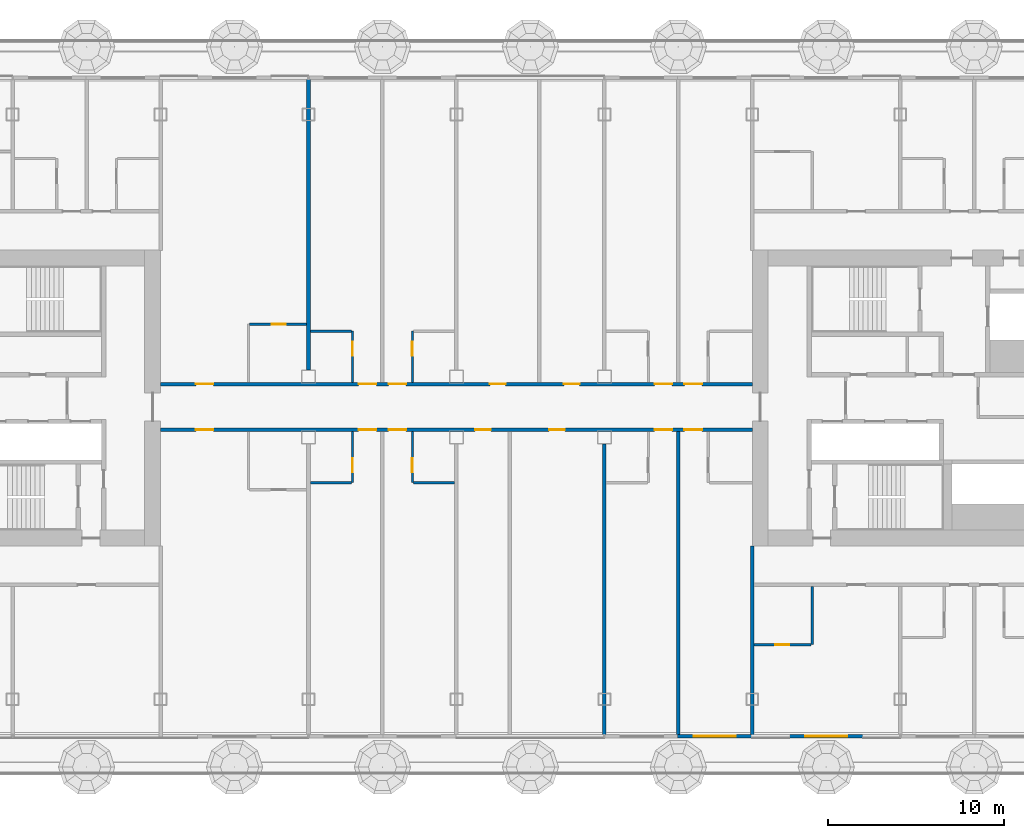
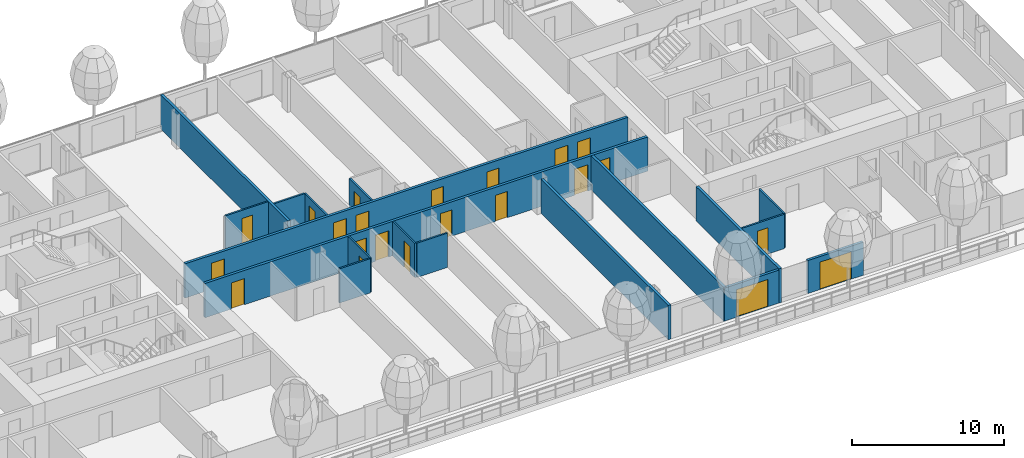
# One storey, part 12 of 30: 22 doors, 18 walls, 22 openings, 1 element without a shape of its own.
"""IFC4 building model written with IfcOpenShell, lengths in metres."""

import ifcopenshell
import ifcopenshell.guid

model = None  # the IFC model being written
_history = None  # IfcOwnerHistory: only IFC2X3 demands one
_inside = {}  # id of a spatial element -> (the spatial element, [elements in it])
_under = {}  # id of a project, library or spatial element -> (it, [spatial elements below it])
_declared = {}  # id of a project -> (the project, [libraries it declares])
_typed = {}  # id of a type object -> (the type object, [elements of that type])
_made_of = {}  # id of a material, layer set ... -> (it, [elements and type objects made of it])


def new_model(schema):
    """Start an empty IFC model of exactly this schema.

    Asked for "IFC4X3", IfcOpenShell would pick the latest addendum, in which some entities
    have other attributes; the version numbers below select the first issue.
    IFC2X3 requires an IfcOwnerHistory on every rooted entity: one is made here for all.
    """
    global model, _history
    if schema == "IFC4X3":
        model = ifcopenshell.file(schema_version=(4, 3, 0, 0))
    else:
        model = ifcopenshell.file(schema=schema)
    _inside.clear()
    _under.clear()
    _declared.clear()
    _typed.clear()
    _made_of.clear()
    _history = None
    if model.schema == "IFC2X3":
        org = make("IfcOrganization", Name="unknown")
        user = make(
            "IfcPersonAndOrganization",
            ThePerson=make("IfcPerson", FamilyName="unknown"),
            TheOrganization=org,
        )
        app = make(
            "IfcApplication",
            ApplicationDeveloper=org,
            Version="unknown",
            ApplicationFullName="unknown",
            ApplicationIdentifier="unknown",
        )
        _history = make(
            "IfcOwnerHistory",
            OwningUser=user,
            OwningApplication=app,
            ChangeAction="ADDED",
            CreationDate=0,
        )
    return model


def make(cls, **values):
    """One entity of the class cls with the attributes given. An attribute that is None is left unset."""
    return model.create_entity(
        cls, **{name: value for name, value in values.items() if value is not None}
    )


def rooted(cls, **values):
    """An entity with a GlobalId (a new one), such as an element, a storey or a relation."""
    return make(cls, GlobalId=ifcopenshell.guid.new(), OwnerHistory=_history, **values)


def si_unit(unit_type, name, prefix=None):
    """IfcSIUnit, for example si_unit("LENGTHUNIT", "METRE", prefix="MILLI")."""
    return make("IfcSIUnit", UnitType=unit_type, Prefix=prefix, Name=name)


def assignment(units):
    """IfcUnitAssignment: the units of a project."""
    return None if units is None else make("IfcUnitAssignment", Units=units)


def point(xyz):
    """IfcCartesianPoint."""
    return None if xyz is None else make("IfcCartesianPoint", Coordinates=xyz)


def direction(xyz):
    """IfcDirection."""
    return None if xyz is None else make("IfcDirection", DirectionRatios=xyz)


def frame(location, z_axis=None, x_axis=None):
    """IfcAxis2Placement3D, a coordinate frame: its origin and axes. An axis left out is left unset."""
    return make(
        "IfcAxis2Placement3D",
        Location=point(location),
        Axis=direction(z_axis),
        RefDirection=direction(x_axis),
    )


def frame_2d(location, x_axis=None):
    """IfcAxis2Placement2D, a coordinate frame in the plane: its origin and x axis."""
    return make(
        "IfcAxis2Placement2D", Location=point(location), RefDirection=direction(x_axis)
    )


def origin():
    """The frame at (0, 0, 0) with its axes left unset."""
    return frame((0.0, 0.0, 0.0))


def place(relative_to, where):
    """IfcLocalPlacement: puts the frame where relative to a parent placement (None: the world)."""
    return make(
        "IfcLocalPlacement", PlacementRelTo=relative_to, RelativePlacement=where
    )


def context(
    kind, dimensions, precision=None, world=None, true_north=None, identifier=None
):
    """IfcGeometricRepresentationContext, for example the 3D "Model" context."""
    return make(
        "IfcGeometricRepresentationContext",
        ContextIdentifier=identifier,
        ContextType=kind,
        CoordinateSpaceDimension=dimensions,
        Precision=precision,
        WorldCoordinateSystem=world,
        TrueNorth=true_north,
    )


def subcontext(parent, identifier, kind, view, scale=None):
    """IfcGeometricRepresentationSubContext, for example "Body" below "Model"."""
    return make(
        "IfcGeometricRepresentationSubContext",
        ContextIdentifier=identifier,
        ContextType=kind,
        ParentContext=parent,
        TargetScale=scale,
        TargetView=view,
    )


def project(units=None, contexts=None):
    """IfcProject with its units and contexts."""
    return rooted(
        "IfcProject",
        Name="project",
        RepresentationContexts=contexts,
        UnitsInContext=assignment(units),
    )


def spatial(cls, under=None, at=None, **own):
    """A site, building, storey or space (cls), placed at a placement, below another one or the project."""
    s = rooted(cls, ObjectPlacement=at, **own)
    if under is not None:
        _under.setdefault(under.id(), (under, []))[1].append(s)
    return s


def profile(cls, at=None, kind="AREA", **sizes):
    """A parametric profile (cls). Its sizes go by their IFC names, for example OverallWidth=200.0."""
    return make(cls, ProfileType=kind, Position=at, **sizes)


def rectangle(**sizes):
    """IfcRectangleProfileDef."""
    return profile("IfcRectangleProfileDef", **sizes)


def extrude(swept, where, along, depth):
    """IfcExtrudedAreaSolid: the profile swept, set in the frame where, extruded along a direction by depth."""
    return make(
        "IfcExtrudedAreaSolid",
        SweptArea=swept,
        Position=where,
        ExtrudedDirection=direction(along),
        Depth=depth,
    )


def shape(context_of_items, identifier, shape_type, items):
    """IfcShapeRepresentation: the items that make up one representation, for example the "Body"."""
    return make(
        "IfcShapeRepresentation",
        ContextOfItems=context_of_items,
        RepresentationIdentifier=identifier,
        RepresentationType=shape_type,
        Items=items,
    )


def material(Name=None, Category=None):
    """IfcMaterial."""
    return make("IfcMaterial", Name=Name, Category=Category)


def layer(
    of_material, thickness, ventilated=None, Name=None, Category=None, Priority=None
):
    """IfcMaterialLayer: one layer of a wall or slab, of a material (None: an air gap)."""
    return make(
        "IfcMaterialLayer",
        Material=of_material,
        LayerThickness=thickness,
        IsVentilated=ventilated,
        Name=Name,
        Category=Category,
        Priority=Priority,
    )


def layer_set(layers, Name=None):
    """IfcMaterialLayerSet."""
    return make("IfcMaterialLayerSet", MaterialLayers=layers, LayerSetName=Name)


def made_of(thing, what):
    """Note that an element or type object is made of a material, layer set ...; save() writes the relation."""
    if what is not None:
        _made_of.setdefault(what.id(), (what, []))[1].append(thing)
    return thing


def type_object(cls, material=None, **own):
    """A type object (cls), such as IfcWallType, which elements share."""
    return made_of(rooted(cls, **own), material)


def element(
    cls,
    number,
    at=None,
    inside=None,
    cuts=None,
    type_object=None,
    material=None,
    context=None,
    identifier="Body",
    shape_type=None,
    held_by="IfcProductDefinitionShape",
    body=None,
    shapes=None,
    **own,
):
    """One element of the class cls, such as IfcWall. Its Tag is "e" and its number.

    at: its placement. inside: the storey or other place that contains it. cuts: it is an
    opening in that element (IfcRelVoidsElement). A single representation is given by context,
    identifier, shape_type and body (its items); several are given by shapes. held_by: the class
    of the entity that holds the representations. save() writes the other relations.
    """
    e = rooted(cls, Tag="e%d" % number, ObjectPlacement=at, **own)
    if body is not None:
        shapes = [shape(context, identifier, shape_type, body)]
    if shapes is not None:
        e.Representation = make(held_by, Representations=shapes)
    if inside is not None:
        _inside.setdefault(inside.id(), (inside, []))[1].append(e)
    if cuts is not None:
        rooted(
            "IfcRelVoidsElement", RelatingBuildingElement=cuts, RelatedOpeningElement=e
        )
    if type_object is not None:
        _typed.setdefault(type_object.id(), (type_object, []))[1].append(e)
    return made_of(e, material)


def fill(opening, filler):
    """IfcRelFillsElement: the door or window that sits in an opening."""
    return rooted(
        "IfcRelFillsElement",
        RelatingOpeningElement=opening,
        RelatedBuildingElement=filler,
    )


def aggregate(whole, parts):
    """IfcRelAggregates: a whole, such as a stair, and the parts it consists of."""
    return rooted("IfcRelAggregates", RelatingObject=whole, RelatedObjects=parts)


def save(model, path):
    """Write the relations noted so far, then the file.

    IfcRelAggregates (storeys below a building ...), IfcRelContainedInSpatialStructure (elements
    in a storey), IfcRelDefinesByType, IfcRelAssociatesMaterial and IfcRelDeclares: one each for
    every whole, place, type object, material and project.
    """
    for whole, parts in _under.values():
        aggregate(whole, parts)
    for where, things in _inside.values():
        rooted(
            "IfcRelContainedInSpatialStructure",
            RelatedElements=things,
            RelatingStructure=where,
        )
    for kind, things in _typed.values():
        rooted("IfcRelDefinesByType", RelatedObjects=things, RelatingType=kind)
    for what, things in _made_of.values():
        rooted("IfcRelAssociatesMaterial", RelatedObjects=things, RelatingMaterial=what)
    for by, libraries in _declared.values():
        rooted("IfcRelDeclares", RelatingContext=by, RelatedDefinitions=libraries)
    model.write(path)


model = new_model("IFC4")

# Units and contexts
model_context = context("Model", 3, precision=1e-05, world=origin(), true_north=direction((0.0, 1.0)))
body_context = subcontext(model_context, "Body", "Model", "MODEL_VIEW")
ifc_project = project(units=[si_unit("LENGTHUNIT", "METRE"), si_unit("AREAUNIT", "SQUARE_METRE"), si_unit("VOLUMEUNIT", "CUBIC_METRE"), si_unit("PLANEANGLEUNIT", "RADIAN"), si_unit("MASSUNIT", "GRAM", prefix="KILO")], contexts=[model_context])

# Site, building, storey
site_placement = place(None, origin())
site = spatial("IfcSite", under=ifc_project, at=site_placement, CompositionType="ELEMENT")
building_placement = place(site_placement, origin())
building = spatial("IfcBuilding", under=site, at=building_placement, Name="Hakoniwa Tower and Hamabe Station Hall", CompositionType="ELEMENT")
storey_placement = place(building_placement, frame((0.0, 0.0, 137.39990234375)))
storey = spatial("IfcBuildingStorey", under=building, at=storey_placement, Name="L38", CompositionType="ELEMENT", Elevation=137.39990234375)

# Wall, opening, door
ifc_material_1 = material(Name="Gypsum board partition", Category="gypsum")
ifc_layer_1 = layer(ifc_material_1, 0.125)
ifc_layer_set_1 = layer_set([ifc_layer_1], Name="Bathroom Partition 125")
wall_type_1 = type_object("IfcWallType", Name="Bathroom Partition 125", PredefinedType="PARTITIONING", material=ifc_layer_set_1)
wall_1_placement = place(storey_placement, frame((16.89990234375, -14.0, 0.0), z_axis=(0.0, 0.0, 1.0), x_axis=(1.0, 0.0, 0.0)))
wall_1 = element("IfcWall", 1, at=wall_1_placement, inside=storey, type_object=wall_type_1, Name="GW-L38-001", PredefinedType="PARTITIONING", context=body_context, shape_type="SweptSolid", body=[
    extrude(rectangle(XDim=3.237548828125, YDim=0.125, at=frame_2d((1.61865234375, 0.0))), origin(), (0.0, 0.0, 1.0), 2.75),
])
opening_1_placement = place(wall_1_placement, frame((1.199951171875, 0.0, 0.0)))
opening_1 = element("IfcOpeningElement", 2, at=opening_1_placement, cuts=wall_1, Name="Opening GD-G3C0-01", PredefinedType="OPENING", context=body_context, shape_type="SweptSolid", body=[
    extrude(rectangle(XDim=0.800048828125, YDim=2.10009765625, at=frame_2d((0.39990234375, 1.050048828125))), frame((0.0, 0.072509765625, 0.0), z_axis=(0.0, -1.0, 0.0), x_axis=(1.0, 0.0, 0.0)), (0.0, 0.0, 1.0), 0.14501953125),
])
ifc_material_2 = material(Name="Timber door leaf", Category="wood")
door_type_1 = type_object("IfcDoorType", Name="Bathroom Door 800", OperationType="SINGLE_SWING_LEFT", PredefinedType="DOOR", material=ifc_material_2)
door_1_placement = place(opening_1_placement, origin())
door_1 = element("IfcDoor", 3, at=door_1_placement, inside=storey, type_object=door_type_1, Name="Door GD-G3C0-01", OperationType="SINGLE_SWING_LEFT", OverallHeight=2.10009765625, OverallWidth=0.800048828125, PredefinedType="DOOR", context=body_context, shape_type="SweptSolid", body=[
    extrude(rectangle(XDim=0.800048828125, YDim=2.10009765625, at=frame_2d((0.39990234375, 1.050048828125))), frame((0.0, 0.02490234375, 0.0), z_axis=(0.0, -1.0, 0.0), x_axis=(1.0, 0.0, 0.0)), (0.0, 0.0, 1.0), 0.050048828125),
])
fill(opening_1, door_1)

# Walls
wall_2_placement = place(storey_placement, frame((-8.300048828125, -4.800048828125, 0.0), z_axis=(0.0, 0.0, 1.0), x_axis=(1.0, 0.0, 0.0)))
element("IfcWall", 4, at=wall_2_placement, inside=storey, type_object=wall_type_1, Name="GW-L38-010", PredefinedType="PARTITIONING", context=body_context, shape_type="SweptSolid", body=[
    extrude(rectangle(XDim=2.337646484375, YDim=0.125, at=frame_2d((1.1689453125, 0.0))), origin(), (0.0, 0.0, 1.0), 2.75),
])
wall_3_placement = place(storey_placement, frame((-2.4375, -4.800048828125, 0.0), z_axis=(0.0, 0.0, 1.0), x_axis=(1.0, 0.0, 0.0)))
element("IfcWall", 5, at=wall_3_placement, inside=storey, type_object=wall_type_1, Name="GW-L38-011", PredefinedType="PARTITIONING", context=body_context, shape_type="SweptSolid", body=[
    extrude(rectangle(XDim=2.33740234375, YDim=0.125, at=frame_2d((1.168701171875, 0.0))), origin(), (0.0, 0.0, 1.0), 2.75),
])
wall_4_placement = place(storey_placement, frame((-8.300048828125, 3.800048828125, 0.0), z_axis=(0.0, 0.0, 1.0), x_axis=(1.0, 0.0, 0.0)))
element("IfcWall", 6, at=wall_4_placement, inside=storey, type_object=wall_type_1, Name="GW-L38-018", PredefinedType="PARTITIONING", context=body_context, shape_type="SweptSolid", body=[
    extrude(rectangle(XDim=2.337646484375, YDim=0.125, at=frame_2d((1.1689453125, 0.0))), origin(), (0.0, 0.0, 1.0), 2.75),
])

# Wall, opening, door
wall_5_placement = place(storey_placement, frame((-11.737548828125, 4.199951171875, 0.0), z_axis=(0.0, 0.0, 1.0), x_axis=(1.0, 0.0, 0.0)))
wall_5 = element("IfcWall", 7, at=wall_5_placement, inside=storey, type_object=wall_type_1, Name="GW-L38-022", PredefinedType="PARTITIONING", context=body_context, shape_type="SweptSolid", body=[
    extrude(rectangle(XDim=3.237548828125, YDim=0.125, at=frame_2d((1.61865234375, 0.0))), origin(), (0.0, 0.0, 1.0), 2.75),
])
opening_2_placement = place(wall_5_placement, frame((1.237548828125, 0.0, 0.0)))
opening_2 = element("IfcOpeningElement", 8, at=opening_2_placement, cuts=wall_5, Name="Opening GD-G3C0-30", PredefinedType="OPENING", context=body_context, shape_type="SweptSolid", body=[
    extrude(rectangle(XDim=0.800048828125, YDim=2.10009765625, at=frame_2d((0.39990234375, 1.050048828125))), frame((0.0, 0.072509765625, 0.0), z_axis=(0.0, -1.0, 0.0), x_axis=(1.0, 0.0, 0.0)), (0.0, 0.0, 1.0), 0.14501953125),
])
door_2_placement = place(opening_2_placement, origin())
door_2 = element("IfcDoor", 9, at=door_2_placement, inside=storey, type_object=door_type_1, Name="Door GD-G3C0-30", OperationType="SINGLE_SWING_RIGHT", OverallHeight=2.10009765625, OverallWidth=0.800048828125, PredefinedType="DOOR", context=body_context, shape_type="SweptSolid", body=[
    extrude(rectangle(XDim=0.800048828125, YDim=2.10009765625, at=frame_2d((0.39990234375, 1.050048828125))), frame((0.0, 0.02490234375, 0.0), z_axis=(0.0, -1.0, 0.0), x_axis=(1.0, 0.0, 0.0)), (0.0, 0.0, 1.0), 0.050048828125),
])
fill(opening_2, door_2)

wall_6_placement = place(storey_placement, frame((-5.89990234375, -4.800048828125, 0.0), z_axis=(0.0, 0.0, 1.0), x_axis=(0.0, 1.0, 0.0)))
wall_6 = element("IfcWall", 10, at=wall_6_placement, inside=storey, type_object=wall_type_1, Name="GW-L38-057", PredefinedType="PARTITIONING", context=body_context, shape_type="SweptSolid", body=[
    extrude(rectangle(XDim=2.900146484375, YDim=0.125, at=frame_2d((1.4501953125, 0.0))), origin(), (0.0, 0.0, 1.0), 2.75),
])
opening_3_placement = place(wall_6_placement, frame((0.60009765625, 0.0, 0.0)))
opening_3 = element("IfcOpeningElement", 11, at=opening_3_placement, cuts=wall_6, Name="Opening GD-G3C0-51", PredefinedType="OPENING", context=body_context, shape_type="SweptSolid", body=[
    extrude(rectangle(XDim=0.800048828125, YDim=2.10009765625, at=frame_2d((0.39990234375, 1.050048828125))), frame((0.0, 0.072509765625, 0.0), z_axis=(0.0, -1.0, 0.0), x_axis=(1.0, 0.0, 0.0)), (0.0, 0.0, 1.0), 0.14501953125),
])
door_3_placement = place(opening_3_placement, origin())
door_3 = element("IfcDoor", 12, at=door_3_placement, inside=storey, type_object=door_type_1, Name="Door GD-G3C0-51", OperationType="SINGLE_SWING_RIGHT", OverallHeight=2.10009765625, OverallWidth=0.800048828125, PredefinedType="DOOR", context=body_context, shape_type="SweptSolid", body=[
    extrude(rectangle(XDim=0.800048828125, YDim=2.10009765625, at=frame_2d((0.39990234375, 1.050048828125))), frame((0.0, 0.02490234375, 0.0), z_axis=(0.0, -1.0, 0.0), x_axis=(1.0, 0.0, 0.0)), (0.0, 0.0, 1.0), 0.050048828125),
])
fill(opening_3, door_3)

wall_7_placement = place(storey_placement, frame((-5.89990234375, 0.89990234375, 0.0), z_axis=(0.0, 0.0, 1.0), x_axis=(0.0, 1.0, 0.0)))
wall_7 = element("IfcWall", 13, at=wall_7_placement, inside=storey, type_object=wall_type_1, Name="GW-L38-058", PredefinedType="PARTITIONING", context=body_context, shape_type="SweptSolid", body=[
    extrude(rectangle(XDim=2.900146484375, YDim=0.125, at=frame_2d((1.4501953125, 0.0))), origin(), (0.0, 0.0, 1.0), 2.75),
])
opening_4_placement = place(wall_7_placement, frame((1.5, 0.0, 0.0)))
opening_4 = element("IfcOpeningElement", 14, at=opening_4_placement, cuts=wall_7, Name="Opening GD-G3C0-52", PredefinedType="OPENING", context=body_context, shape_type="SweptSolid", body=[
    extrude(rectangle(XDim=0.800048828125, YDim=2.10009765625, at=frame_2d((0.39990234375, 1.050048828125))), frame((0.0, 0.072509765625, 0.0), z_axis=(0.0, -1.0, 0.0), x_axis=(1.0, 0.0, 0.0)), (0.0, 0.0, 1.0), 0.14501953125),
])
door_4_placement = place(opening_4_placement, origin())
door_4 = element("IfcDoor", 15, at=door_4_placement, inside=storey, type_object=door_type_1, Name="Door GD-G3C0-52", OperationType="SINGLE_SWING_LEFT", OverallHeight=2.10009765625, OverallWidth=0.800048828125, PredefinedType="DOOR", context=body_context, shape_type="SweptSolid", body=[
    extrude(rectangle(XDim=0.800048828125, YDim=2.10009765625, at=frame_2d((0.39990234375, 1.050048828125))), frame((0.0, 0.02490234375, 0.0), z_axis=(0.0, -1.0, 0.0), x_axis=(1.0, 0.0, 0.0)), (0.0, 0.0, 1.0), 0.050048828125),
])
fill(opening_4, door_4)

wall_8_placement = place(storey_placement, frame((-2.5, -4.800048828125, 0.0), z_axis=(0.0, 0.0, 1.0), x_axis=(0.0, 1.0, 0.0)))
wall_8 = element("IfcWall", 16, at=wall_8_placement, inside=storey, type_object=wall_type_1, Name="GW-L38-061", PredefinedType="PARTITIONING", context=body_context, shape_type="SweptSolid", body=[
    extrude(rectangle(XDim=2.900146484375, YDim=0.125, at=frame_2d((1.4501953125, 0.0))), origin(), (0.0, 0.0, 1.0), 2.75),
])
opening_5_placement = place(wall_8_placement, frame((0.60009765625, 0.0, 0.0)))
opening_5 = element("IfcOpeningElement", 17, at=opening_5_placement, cuts=wall_8, Name="Opening GD-G3C0-53", PredefinedType="OPENING", context=body_context, shape_type="SweptSolid", body=[
    extrude(rectangle(XDim=0.800048828125, YDim=2.10009765625, at=frame_2d((0.39990234375, 1.050048828125))), frame((0.0, 0.072509765625, 0.0), z_axis=(0.0, -1.0, 0.0), x_axis=(1.0, 0.0, 0.0)), (0.0, 0.0, 1.0), 0.14501953125),
])
door_5_placement = place(opening_5_placement, origin())
door_5 = element("IfcDoor", 18, at=door_5_placement, inside=storey, type_object=door_type_1, Name="Door GD-G3C0-53", OperationType="SINGLE_SWING_LEFT", OverallHeight=2.10009765625, OverallWidth=0.800048828125, PredefinedType="DOOR", context=body_context, shape_type="SweptSolid", body=[
    extrude(rectangle(XDim=0.800048828125, YDim=2.10009765625, at=frame_2d((0.39990234375, 1.050048828125))), frame((0.0, 0.02490234375, 0.0), z_axis=(0.0, -1.0, 0.0), x_axis=(1.0, 0.0, 0.0)), (0.0, 0.0, 1.0), 0.050048828125),
])
fill(opening_5, door_5)

wall_9_placement = place(storey_placement, frame((-2.5, 0.89990234375, 0.0), z_axis=(0.0, 0.0, 1.0), x_axis=(0.0, 1.0, 0.0)))
wall_9 = element("IfcWall", 19, at=wall_9_placement, inside=storey, type_object=wall_type_1, Name="GW-L38-062", PredefinedType="PARTITIONING", context=body_context, shape_type="SweptSolid", body=[
    extrude(rectangle(XDim=2.900146484375, YDim=0.125, at=frame_2d((1.4501953125, 0.0))), origin(), (0.0, 0.0, 1.0), 2.75),
])
opening_6_placement = place(wall_9_placement, frame((1.5, 0.0, 0.0)))
opening_6 = element("IfcOpeningElement", 20, at=opening_6_placement, cuts=wall_9, Name="Opening GD-G3C0-54", PredefinedType="OPENING", context=body_context, shape_type="SweptSolid", body=[
    extrude(rectangle(XDim=0.800048828125, YDim=2.10009765625, at=frame_2d((0.39990234375, 1.050048828125))), frame((0.0, 0.072509765625, 0.0), z_axis=(0.0, -1.0, 0.0), x_axis=(1.0, 0.0, 0.0)), (0.0, 0.0, 1.0), 0.14501953125),
])
door_6_placement = place(opening_6_placement, origin())
door_6 = element("IfcDoor", 21, at=door_6_placement, inside=storey, type_object=door_type_1, Name="Door GD-G3C0-54", OperationType="SINGLE_SWING_RIGHT", OverallHeight=2.10009765625, OverallWidth=0.800048828125, PredefinedType="DOOR", context=body_context, shape_type="SweptSolid", body=[
    extrude(rectangle(XDim=0.800048828125, YDim=2.10009765625, at=frame_2d((0.39990234375, 1.050048828125))), frame((0.0, 0.02490234375, 0.0), z_axis=(0.0, -1.0, 0.0), x_axis=(1.0, 0.0, 0.0)), (0.0, 0.0, 1.0), 0.050048828125),
])
fill(opening_6, door_6)

# Wall
wall_10_placement = place(storey_placement, frame((20.199951171875, -14.0, 0.0), z_axis=(0.0, 0.0, 1.0), x_axis=(0.0, 1.0, 0.0)))
element("IfcWall", 22, at=wall_10_placement, inside=storey, type_object=wall_type_1, Name="GW-L38-077", PredefinedType="PARTITIONING", context=body_context, shape_type="SweptSolid", body=[
    extrude(rectangle(XDim=3.300048828125, YDim=0.125, at=frame_2d((1.64990234375, 0.0))), origin(), (0.0, 0.0, 1.0), 2.75),
])

# Wall, openings, doors
ifc_material_3 = material(Name="Fire-rated gypsum board partition", Category="gypsum")
ifc_layer_2 = layer(ifc_material_3, 0.199951171875)
ifc_layer_set_2 = layer_set([ifc_layer_2], Name="Corridor Wall 200")
wall_type_2 = type_object("IfcWallType", Name="Corridor Wall 200", PredefinedType="PARTITIONING", material=ifc_layer_set_2)
wall_11_placement = place(storey_placement, frame((-16.800048828125, -1.800048828125, 0.0), z_axis=(0.0, 0.0, 1.0), x_axis=(1.0, 0.0, 0.0)))
wall_11 = element("IfcWall", 23, at=wall_11_placement, inside=storey, type_object=wall_type_2, Name="GW-L38-014", PredefinedType="PARTITIONING", context=body_context, shape_type="SweptSolid", body=[
    extrude(rectangle(XDim=33.60009765625, YDim=0.199951171875, at=frame_2d((16.800048828125, 0.0))), origin(), (0.0, 0.0, 1.0), 2.75),
])
opening_7_placement = place(wall_11_placement, frame((2.0, 0.0, 0.0)))
opening_7 = element("IfcOpeningElement", 24, at=opening_7_placement, cuts=wall_11, Name="Opening GD-G3C0-16", PredefinedType="OPENING", context=body_context, shape_type="SweptSolid", body=[
    extrude(rectangle(XDim=1.0, YDim=2.10009765625, at=frame_2d((0.5, 1.050048828125))), frame((0.0, 0.10986328125, 0.0), z_axis=(0.0, -1.0, 0.0), x_axis=(1.0, 0.0, 0.0)), (0.0, 0.0, 1.0), 0.219970703125),
])
opening_8_placement = place(wall_11_placement, frame((11.25, 0.0, 0.0)))
opening_8 = element("IfcOpeningElement", 25, at=opening_8_placement, cuts=wall_11, Name="Opening GD-G3C0-17", PredefinedType="OPENING", context=body_context, shape_type="SweptSolid", body=[
    extrude(rectangle(XDim=1.0, YDim=2.10009765625, at=frame_2d((0.5, 1.050048828125))), frame((0.0, 0.10986328125, 0.0), z_axis=(0.0, -1.0, 0.0), x_axis=(1.0, 0.0, 0.0)), (0.0, 0.0, 1.0), 0.219970703125),
])
opening_9_placement = place(wall_11_placement, frame((12.949951171875, 0.0, 0.0)))
opening_9 = element("IfcOpeningElement", 26, at=opening_9_placement, cuts=wall_11, Name="Opening GD-G3C0-18", PredefinedType="OPENING", context=body_context, shape_type="SweptSolid", body=[
    extrude(rectangle(XDim=1.0, YDim=2.10009765625, at=frame_2d((0.5, 1.050048828125))), frame((0.0, 0.10986328125, 0.0), z_axis=(0.0, -1.0, 0.0), x_axis=(1.0, 0.0, 0.0)), (0.0, 0.0, 1.0), 0.219970703125),
])
opening_10_placement = place(wall_11_placement, frame((17.860107421875, 0.0, 0.0)))
opening_10 = element("IfcOpeningElement", 27, at=opening_10_placement, cuts=wall_11, Name="Opening GD-G3C0-19", PredefinedType="OPENING", context=body_context, shape_type="SweptSolid", body=[
    extrude(rectangle(XDim=0.89990234375, YDim=2.10009765625, at=frame_2d((0.449951171875, 1.050048828125))), frame((0.0, 0.10986328125, 0.0), z_axis=(0.0, -1.0, 0.0), x_axis=(1.0, 0.0, 0.0)), (0.0, 0.0, 1.0), 0.219970703125),
])
opening_11_placement = place(wall_11_placement, frame((22.06005859375, 0.0, 0.0)))
opening_11 = element("IfcOpeningElement", 28, at=opening_11_placement, cuts=wall_11, Name="Opening GD-G3C0-20", PredefinedType="OPENING", context=body_context, shape_type="SweptSolid", body=[
    extrude(rectangle(XDim=0.89990234375, YDim=2.10009765625, at=frame_2d((0.449951171875, 1.050048828125))), frame((0.0, 0.10986328125, 0.0), z_axis=(0.0, -1.0, 0.0), x_axis=(1.0, 0.0, 0.0)), (0.0, 0.0, 1.0), 0.219970703125),
])
opening_12_placement = place(wall_11_placement, frame((28.050048828125, 0.0, 0.0)))
opening_12 = element("IfcOpeningElement", 29, at=opening_12_placement, cuts=wall_11, Name="Opening GD-G3C0-21", PredefinedType="OPENING", context=body_context, shape_type="SweptSolid", body=[
    extrude(rectangle(XDim=1.0, YDim=2.10009765625, at=frame_2d((0.5, 1.050048828125))), frame((0.0, 0.10986328125, 0.0), z_axis=(0.0, -1.0, 0.0), x_axis=(1.0, 0.0, 0.0)), (0.0, 0.0, 1.0), 0.219970703125),
])
opening_13_placement = place(wall_11_placement, frame((29.75, 0.0, 0.0)))
opening_13 = element("IfcOpeningElement", 30, at=opening_13_placement, cuts=wall_11, Name="Opening GD-G3C0-22", PredefinedType="OPENING", context=body_context, shape_type="SweptSolid", body=[
    extrude(rectangle(XDim=1.0, YDim=2.10009765625, at=frame_2d((0.5, 1.050048828125))), frame((0.0, 0.10986328125, 0.0), z_axis=(0.0, -1.0, 0.0), x_axis=(1.0, 0.0, 0.0)), (0.0, 0.0, 1.0), 0.219970703125),
])
ifc_material_4 = material(Name="Timber door leaf", Category="wood")
door_type_2 = type_object("IfcDoorType", Name="Guest Entrance Door 1000", OperationType="SINGLE_SWING_LEFT", PredefinedType="DOOR", material=ifc_material_4)
door_7_placement = place(opening_7_placement, origin())
door_7 = element("IfcDoor", 31, at=door_7_placement, inside=storey, type_object=door_type_2, Name="Door GD-G3C0-16", OperationType="SINGLE_SWING_RIGHT", OverallHeight=2.10009765625, OverallWidth=1.0, PredefinedType="DOOR", context=body_context, shape_type="SweptSolid", body=[
    extrude(rectangle(XDim=1.0, YDim=2.10009765625, at=frame_2d((0.5, 1.050048828125))), frame((0.0, 0.02490234375, 0.0), z_axis=(0.0, -1.0, 0.0), x_axis=(1.0, 0.0, 0.0)), (0.0, 0.0, 1.0), 0.050048828125),
])
fill(opening_7, door_7)
door_8_placement = place(opening_8_placement, origin())
door_8 = element("IfcDoor", 32, at=door_8_placement, inside=storey, type_object=door_type_2, Name="Door GD-G3C0-17", OperationType="SINGLE_SWING_LEFT", OverallHeight=2.10009765625, OverallWidth=1.0, PredefinedType="DOOR", context=body_context, shape_type="SweptSolid", body=[
    extrude(rectangle(XDim=1.0, YDim=2.10009765625, at=frame_2d((0.5, 1.050048828125))), frame((0.0, 0.02490234375, 0.0), z_axis=(0.0, -1.0, 0.0), x_axis=(1.0, 0.0, 0.0)), (0.0, 0.0, 1.0), 0.050048828125),
])
fill(opening_8, door_8)
door_9_placement = place(opening_9_placement, origin())
door_9 = element("IfcDoor", 33, at=door_9_placement, inside=storey, type_object=door_type_2, Name="Door GD-G3C0-18", OperationType="SINGLE_SWING_RIGHT", OverallHeight=2.10009765625, OverallWidth=1.0, PredefinedType="DOOR", context=body_context, shape_type="SweptSolid", body=[
    extrude(rectangle(XDim=1.0, YDim=2.10009765625, at=frame_2d((0.5, 1.050048828125))), frame((0.0, 0.02490234375, 0.0), z_axis=(0.0, -1.0, 0.0), x_axis=(1.0, 0.0, 0.0)), (0.0, 0.0, 1.0), 0.050048828125),
])
fill(opening_9, door_9)
door_10_placement = place(opening_12_placement, origin())
door_10 = element("IfcDoor", 34, at=door_10_placement, inside=storey, type_object=door_type_2, Name="Door GD-G3C0-21", OperationType="SINGLE_SWING_RIGHT", OverallHeight=2.10009765625, OverallWidth=1.0, PredefinedType="DOOR", context=body_context, shape_type="SweptSolid", body=[
    extrude(rectangle(XDim=1.0, YDim=2.10009765625, at=frame_2d((0.5, 1.050048828125))), frame((0.0, 0.02490234375, 0.0), z_axis=(0.0, -1.0, 0.0), x_axis=(1.0, 0.0, 0.0)), (0.0, 0.0, 1.0), 0.050048828125),
])
fill(opening_12, door_10)
door_11_placement = place(opening_13_placement, origin())
door_11 = element("IfcDoor", 35, at=door_11_placement, inside=storey, type_object=door_type_2, Name="Door GD-G3C0-22", OperationType="SINGLE_SWING_LEFT", OverallHeight=2.10009765625, OverallWidth=1.0, PredefinedType="DOOR", context=body_context, shape_type="SweptSolid", body=[
    extrude(rectangle(XDim=1.0, YDim=2.10009765625, at=frame_2d((0.5, 1.050048828125))), frame((0.0, 0.02490234375, 0.0), z_axis=(0.0, -1.0, 0.0), x_axis=(1.0, 0.0, 0.0)), (0.0, 0.0, 1.0), 0.050048828125),
])
fill(opening_13, door_11)
ifc_material_5 = material(Name="Timber door leaf", Category="wood")
door_type_3 = type_object("IfcDoorType", Name="Service Door 900", OperationType="SINGLE_SWING_LEFT", PredefinedType="DOOR", material=ifc_material_5)
door_12_placement = place(opening_10_placement, origin())
door_12 = element("IfcDoor", 36, at=door_12_placement, inside=storey, type_object=door_type_3, Name="Door GD-G3C0-19", OperationType="SINGLE_SWING_RIGHT", OverallHeight=2.10009765625, OverallWidth=0.89990234375, PredefinedType="DOOR", context=body_context, shape_type="SweptSolid", body=[
    extrude(rectangle(XDim=0.89990234375, YDim=2.10009765625, at=frame_2d((0.449951171875, 1.050048828125))), frame((0.0, 0.02490234375, 0.0), z_axis=(0.0, -1.0, 0.0), x_axis=(1.0, 0.0, 0.0)), (0.0, 0.0, 1.0), 0.050048828125),
])
fill(opening_10, door_12)
door_13_placement = place(opening_11_placement, origin())
door_13 = element("IfcDoor", 37, at=door_13_placement, inside=storey, type_object=door_type_3, Name="Door GD-G3C0-20", OperationType="SINGLE_SWING_LEFT", OverallHeight=2.10009765625, OverallWidth=0.89990234375, PredefinedType="DOOR", context=body_context, shape_type="SweptSolid", body=[
    extrude(rectangle(XDim=0.89990234375, YDim=2.10009765625, at=frame_2d((0.449951171875, 1.050048828125))), frame((0.0, 0.02490234375, 0.0), z_axis=(0.0, -1.0, 0.0), x_axis=(1.0, 0.0, 0.0)), (0.0, 0.0, 1.0), 0.050048828125),
])
fill(opening_11, door_13)

wall_12_placement = place(storey_placement, frame((-16.800048828125, 0.800048828125, 0.0), z_axis=(0.0, 0.0, 1.0), x_axis=(1.0, 0.0, 0.0)))
wall_12 = element("IfcWall", 38, at=wall_12_placement, inside=storey, type_object=wall_type_2, Name="GW-L38-017", PredefinedType="PARTITIONING", context=body_context, shape_type="SweptSolid", body=[
    extrude(rectangle(XDim=33.60009765625, YDim=0.199951171875, at=frame_2d((16.800048828125, 0.0))), origin(), (0.0, 0.0, 1.0), 2.75),
])
opening_14_placement = place(wall_12_placement, frame((2.0, 0.0, 0.0)))
opening_14 = element("IfcOpeningElement", 39, at=opening_14_placement, cuts=wall_12, Name="Opening GD-G3C0-23", PredefinedType="OPENING", context=body_context, shape_type="SweptSolid", body=[
    extrude(rectangle(XDim=1.0, YDim=2.10009765625, at=frame_2d((0.5, 1.050048828125))), frame((0.0, 0.10986328125, 0.0), z_axis=(0.0, -1.0, 0.0), x_axis=(1.0, 0.0, 0.0)), (0.0, 0.0, 1.0), 0.219970703125),
])
opening_15_placement = place(wall_12_placement, frame((11.25, 0.0, 0.0)))
opening_15 = element("IfcOpeningElement", 40, at=opening_15_placement, cuts=wall_12, Name="Opening GD-G3C0-24", PredefinedType="OPENING", context=body_context, shape_type="SweptSolid", body=[
    extrude(rectangle(XDim=1.0, YDim=2.10009765625, at=frame_2d((0.5, 1.050048828125))), frame((0.0, 0.10986328125, 0.0), z_axis=(0.0, -1.0, 0.0), x_axis=(1.0, 0.0, 0.0)), (0.0, 0.0, 1.0), 0.219970703125),
])
opening_16_placement = place(wall_12_placement, frame((12.949951171875, 0.0, 0.0)))
opening_16 = element("IfcOpeningElement", 41, at=opening_16_placement, cuts=wall_12, Name="Opening GD-G3C0-25", PredefinedType="OPENING", context=body_context, shape_type="SweptSolid", body=[
    extrude(rectangle(XDim=1.0, YDim=2.10009765625, at=frame_2d((0.5, 1.050048828125))), frame((0.0, 0.10986328125, 0.0), z_axis=(0.0, -1.0, 0.0), x_axis=(1.0, 0.0, 0.0)), (0.0, 0.0, 1.0), 0.219970703125),
])
opening_17_placement = place(wall_12_placement, frame((18.699951171875, 0.0, 0.0)))
opening_17 = element("IfcOpeningElement", 42, at=opening_17_placement, cuts=wall_12, Name="Opening GD-G3C0-26", PredefinedType="OPENING", context=body_context, shape_type="SweptSolid", body=[
    extrude(rectangle(XDim=0.89990234375, YDim=2.10009765625, at=frame_2d((0.449951171875, 1.050048828125))), frame((0.0, 0.10986328125, 0.0), z_axis=(0.0, -1.0, 0.0), x_axis=(1.0, 0.0, 0.0)), (0.0, 0.0, 1.0), 0.219970703125),
])
opening_18_placement = place(wall_12_placement, frame((22.89990234375, 0.0, 0.0)))
opening_18 = element("IfcOpeningElement", 43, at=opening_18_placement, cuts=wall_12, Name="Opening GD-G3C0-27", PredefinedType="OPENING", context=body_context, shape_type="SweptSolid", body=[
    extrude(rectangle(XDim=0.89990234375, YDim=2.10009765625, at=frame_2d((0.449951171875, 1.050048828125))), frame((0.0, 0.10986328125, 0.0), z_axis=(0.0, -1.0, 0.0), x_axis=(1.0, 0.0, 0.0)), (0.0, 0.0, 1.0), 0.219970703125),
])
opening_19_placement = place(wall_12_placement, frame((28.050048828125, 0.0, 0.0)))
opening_19 = element("IfcOpeningElement", 44, at=opening_19_placement, cuts=wall_12, Name="Opening GD-G3C0-28", PredefinedType="OPENING", context=body_context, shape_type="SweptSolid", body=[
    extrude(rectangle(XDim=1.0, YDim=2.10009765625, at=frame_2d((0.5, 1.050048828125))), frame((0.0, 0.10986328125, 0.0), z_axis=(0.0, -1.0, 0.0), x_axis=(1.0, 0.0, 0.0)), (0.0, 0.0, 1.0), 0.219970703125),
])
opening_20_placement = place(wall_12_placement, frame((29.75, 0.0, 0.0)))
opening_20 = element("IfcOpeningElement", 45, at=opening_20_placement, cuts=wall_12, Name="Opening GD-G3C0-29", PredefinedType="OPENING", context=body_context, shape_type="SweptSolid", body=[
    extrude(rectangle(XDim=1.0, YDim=2.10009765625, at=frame_2d((0.5, 1.050048828125))), frame((0.0, 0.10986328125, 0.0), z_axis=(0.0, -1.0, 0.0), x_axis=(1.0, 0.0, 0.0)), (0.0, 0.0, 1.0), 0.219970703125),
])
door_14_placement = place(opening_14_placement, origin())
door_14 = element("IfcDoor", 46, at=door_14_placement, inside=storey, type_object=door_type_2, Name="Door GD-G3C0-23", OperationType="SINGLE_SWING_LEFT", OverallHeight=2.10009765625, OverallWidth=1.0, PredefinedType="DOOR", context=body_context, shape_type="SweptSolid", body=[
    extrude(rectangle(XDim=1.0, YDim=2.10009765625, at=frame_2d((0.5, 1.050048828125))), frame((0.0, 0.02490234375, 0.0), z_axis=(0.0, -1.0, 0.0), x_axis=(1.0, 0.0, 0.0)), (0.0, 0.0, 1.0), 0.050048828125),
])
fill(opening_14, door_14)
door_15_placement = place(opening_15_placement, origin())
door_15 = element("IfcDoor", 47, at=door_15_placement, inside=storey, type_object=door_type_2, Name="Door GD-G3C0-24", OperationType="SINGLE_SWING_RIGHT", OverallHeight=2.10009765625, OverallWidth=1.0, PredefinedType="DOOR", context=body_context, shape_type="SweptSolid", body=[
    extrude(rectangle(XDim=1.0, YDim=2.10009765625, at=frame_2d((0.5, 1.050048828125))), frame((0.0, 0.02490234375, 0.0), z_axis=(0.0, -1.0, 0.0), x_axis=(1.0, 0.0, 0.0)), (0.0, 0.0, 1.0), 0.050048828125),
])
fill(opening_15, door_15)
door_16_placement = place(opening_16_placement, origin())
door_16 = element("IfcDoor", 48, at=door_16_placement, inside=storey, type_object=door_type_2, Name="Door GD-G3C0-25", OperationType="SINGLE_SWING_LEFT", OverallHeight=2.10009765625, OverallWidth=1.0, PredefinedType="DOOR", context=body_context, shape_type="SweptSolid", body=[
    extrude(rectangle(XDim=1.0, YDim=2.10009765625, at=frame_2d((0.5, 1.050048828125))), frame((0.0, 0.02490234375, 0.0), z_axis=(0.0, -1.0, 0.0), x_axis=(1.0, 0.0, 0.0)), (0.0, 0.0, 1.0), 0.050048828125),
])
fill(opening_16, door_16)
door_17_placement = place(opening_19_placement, origin())
door_17 = element("IfcDoor", 49, at=door_17_placement, inside=storey, type_object=door_type_2, Name="Door GD-G3C0-28", OperationType="SINGLE_SWING_RIGHT", OverallHeight=2.10009765625, OverallWidth=1.0, PredefinedType="DOOR", context=body_context, shape_type="SweptSolid", body=[
    extrude(rectangle(XDim=1.0, YDim=2.10009765625, at=frame_2d((0.5, 1.050048828125))), frame((0.0, 0.02490234375, 0.0), z_axis=(0.0, -1.0, 0.0), x_axis=(1.0, 0.0, 0.0)), (0.0, 0.0, 1.0), 0.050048828125),
])
fill(opening_19, door_17)
door_18_placement = place(opening_20_placement, origin())
door_18 = element("IfcDoor", 50, at=door_18_placement, inside=storey, type_object=door_type_2, Name="Door GD-G3C0-29", OperationType="SINGLE_SWING_LEFT", OverallHeight=2.10009765625, OverallWidth=1.0, PredefinedType="DOOR", context=body_context, shape_type="SweptSolid", body=[
    extrude(rectangle(XDim=1.0, YDim=2.10009765625, at=frame_2d((0.5, 1.050048828125))), frame((0.0, 0.02490234375, 0.0), z_axis=(0.0, -1.0, 0.0), x_axis=(1.0, 0.0, 0.0)), (0.0, 0.0, 1.0), 0.050048828125),
])
fill(opening_20, door_18)
door_19_placement = place(opening_17_placement, origin())
door_19 = element("IfcDoor", 51, at=door_19_placement, inside=storey, type_object=door_type_3, Name="Door GD-G3C0-26", OperationType="SINGLE_SWING_RIGHT", OverallHeight=2.10009765625, OverallWidth=0.89990234375, PredefinedType="DOOR", context=body_context, shape_type="SweptSolid", body=[
    extrude(rectangle(XDim=0.89990234375, YDim=2.10009765625, at=frame_2d((0.449951171875, 1.050048828125))), frame((0.0, 0.02490234375, 0.0), z_axis=(0.0, -1.0, 0.0), x_axis=(1.0, 0.0, 0.0)), (0.0, 0.0, 1.0), 0.050048828125),
])
fill(opening_17, door_19)
door_20_placement = place(opening_18_placement, origin())
door_20 = element("IfcDoor", 52, at=door_20_placement, inside=storey, type_object=door_type_3, Name="Door GD-G3C0-27", OperationType="SINGLE_SWING_RIGHT", OverallHeight=2.10009765625, OverallWidth=0.89990234375, PredefinedType="DOOR", context=body_context, shape_type="SweptSolid", body=[
    extrude(rectangle(XDim=0.89990234375, YDim=2.10009765625, at=frame_2d((0.449951171875, 1.050048828125))), frame((0.0, 0.02490234375, 0.0), z_axis=(0.0, -1.0, 0.0), x_axis=(1.0, 0.0, 0.0)), (0.0, 0.0, 1.0), 0.050048828125),
])
fill(opening_18, door_20)

# Curtain wall, walls, openings, doors
ifc_material_6 = material(Name="Dark low-e laminated glass", Category="glass")
ifc_layer_3 = layer(ifc_material_6, 0.199951171875)
ifc_layer_set_3 = layer_set([ifc_layer_3], Name="CW-1 UNITISED GUEST")
curtain_wall_type = type_object("IfcCurtainWallType", Name="CW-1 UNITISED GUEST", PredefinedType="NOTDEFINED", material=ifc_layer_set_3)
curtain_wall_placement = place(storey_placement, origin())
curtain_wall = element("IfcCurtainWall", 53, at=curtain_wall_placement, inside=storey, type_object=curtain_wall_type, Name="CW-1 curtain wall", PredefinedType="NOTDEFINED")
ifc_material_7 = material(Name="Dark glass-faced aluminium panel", Category="aluminium")
ifc_layer_4 = layer(ifc_material_7, 0.199951171875)
ifc_layer_set_4 = layer_set([ifc_layer_4], Name="DOOR BAY WALL")
wall_type_3 = type_object("IfcWallType", Name="DOOR BAY WALL", PredefinedType="NOTDEFINED", material=ifc_layer_set_4)
wall_13_placement = place(storey_placement, frame((12.56005859375, -19.199951171875, 0.0), z_axis=(0.0, 0.0, 1.0), x_axis=(1.0, 0.0, 0.0)))
wall_13 = element("IfcWall", 54, at=wall_13_placement, type_object=wall_type_3, Name="Door bay wall", PredefinedType="NOTDEFINED", context=body_context, shape_type="SweptSolid", body=[
    extrude(rectangle(XDim=4.219970703125, YDim=0.199951171875, at=frame_2d((2.10986328125, 0.0))), origin(), (0.0, 0.0, 1.0), 2.650146484375),
])
opening_21_placement = place(wall_13_placement, frame((0.909912109375, 0.0, 0.0)))
opening_21 = element("IfcOpeningElement", 55, at=opening_21_placement, cuts=wall_13, Name="Opening BD-S07-10", PredefinedType="OPENING", context=body_context, shape_type="SweptSolid", body=[
    extrude(rectangle(XDim=2.39990234375, YDim=2.199951171875, at=frame_2d((1.199951171875, 1.10009765625))), frame((0.0, 0.10986328125, 0.0), z_axis=(0.0, -1.0, 0.0), x_axis=(1.0, 0.0, 0.0)), (0.0, 0.0, 1.0), 0.219970703125),
])
ifc_material_8 = material(Name="Dark low-e laminated glass", Category="glass")
door_type_4 = type_object("IfcDoorType", Name="BALCONY SLIDING DOOR 2400X2200", OperationType="SLIDING_TO_LEFT", PredefinedType="DOOR", material=ifc_material_8)
door_21_placement = place(opening_21_placement, frame((2.39990234375, 0.0, 0.0), z_axis=(0.0, 0.0, 1.0), x_axis=(-1.0, 0.0, 0.0)))
door_21 = element("IfcDoor", 56, at=door_21_placement, inside=storey, type_object=door_type_4, Name="Balcony sliding door", OperationType="SLIDING_TO_LEFT", OverallHeight=2.199951171875, OverallWidth=2.39990234375, PredefinedType="DOOR", context=body_context, shape_type="SweptSolid", body=[
    extrude(rectangle(XDim=2.39990234375, YDim=2.199951171875, at=frame_2d((1.199951171875, 1.10009765625))), frame((0.0, 0.02490234375, 0.0), z_axis=(0.0, -1.0, 0.0), x_axis=(1.0, 0.0, 0.0)), (0.0, 0.0, 1.0), 0.050048828125),
])
fill(opening_21, door_21)
wall_14_placement = place(storey_placement, frame((18.889892578125, -19.199951171875, 0.0), z_axis=(0.0, 0.0, 1.0), x_axis=(1.0, 0.0, 0.0)))
wall_14 = element("IfcWall", 57, at=wall_14_placement, type_object=wall_type_3, Name="Door bay wall", PredefinedType="NOTDEFINED", context=body_context, shape_type="SweptSolid", body=[
    extrude(rectangle(XDim=4.22021484375, YDim=0.199951171875, at=frame_2d((2.110107421875, 0.0))), origin(), (0.0, 0.0, 1.0), 2.650146484375),
])
opening_22_placement = place(wall_14_placement, frame((0.909912109375, 0.0, 0.0)))
opening_22 = element("IfcOpeningElement", 58, at=opening_22_placement, cuts=wall_14, Name="Opening BD-S07-14", PredefinedType="OPENING", context=body_context, shape_type="SweptSolid", body=[
    extrude(rectangle(XDim=2.39990234375, YDim=2.199951171875, at=frame_2d((1.199951171875, 1.10009765625))), frame((0.0, 0.10986328125, 0.0), z_axis=(0.0, -1.0, 0.0), x_axis=(1.0, 0.0, 0.0)), (0.0, 0.0, 1.0), 0.219970703125),
])
door_22_placement = place(opening_22_placement, frame((2.39990234375, 0.0, 0.0), z_axis=(0.0, 0.0, 1.0), x_axis=(-1.0, 0.0, 0.0)))
door_22 = element("IfcDoor", 59, at=door_22_placement, inside=storey, type_object=door_type_4, Name="Balcony sliding door", OperationType="SLIDING_TO_LEFT", OverallHeight=2.199951171875, OverallWidth=2.39990234375, PredefinedType="DOOR", context=body_context, shape_type="SweptSolid", body=[
    extrude(rectangle(XDim=2.39990234375, YDim=2.199951171875, at=frame_2d((1.199951171875, 1.10009765625))), frame((0.0, 0.02490234375, 0.0), z_axis=(0.0, -1.0, 0.0), x_axis=(1.0, 0.0, 0.0)), (0.0, 0.0, 1.0), 0.050048828125),
])
fill(opening_22, door_22)
aggregate(curtain_wall, [wall_13, wall_14])

# Walls
ifc_material_9 = material(Name="Fire-rated gypsum board partition", Category="gypsum")
ifc_layer_5 = layer(ifc_material_9, 0.199951171875)
ifc_layer_set_5 = layer_set([ifc_layer_5], Name="Party Wall 200")
wall_type_4 = type_object("IfcWallType", Name="Party Wall 200", PredefinedType="PARTITIONING", material=ifc_layer_set_5)
for number, where, z_axis, x_axis, name in (
    (60, (-8.39990234375, 1.590087890625, 0.0), (0.0, 0.0, 1.0), (0.0, 1.0, 0.0), "GW-L38-056"),
    (61, (8.39990234375, -19.300048828125, 0.0), (0.0, 0.0, 1.0), (0.0, 1.0, 0.0), "GW-L38-067"),
):
    element("IfcWall", number, at=place(storey_placement, frame(where, z_axis=z_axis, x_axis=x_axis)), inside=storey, type_object=wall_type_4, Name=name, PredefinedType="PARTITIONING", context=body_context, shape_type="SweptSolid", body=[
        extrude(rectangle(XDim=16.7099609375, YDim=0.199951171875, at=frame_2d((8.35498046875, 0.0))), origin(), (0.0, 0.0, 1.0), 2.75),
    ])
wall_15_placement = place(storey_placement, frame((12.60009765625, -19.300048828125, 0.0), z_axis=(0.0, 0.0, 1.0), x_axis=(0.0, 1.0, 0.0)))
element("IfcWall", 62, at=wall_15_placement, inside=storey, type_object=wall_type_4, Name="GW-L38-071", PredefinedType="PARTITIONING", context=body_context, shape_type="SweptSolid", body=[
    extrude(rectangle(XDim=17.400146484375, YDim=0.199951171875, at=frame_2d((8.7001953125, 0.0))), origin(), (0.0, 0.0, 1.0), 2.75),
])
wall_16_placement = place(storey_placement, frame((16.800048828125, -19.300048828125, 0.0), z_axis=(0.0, 0.0, 1.0), x_axis=(0.0, 1.0, 0.0)))
element("IfcWall", 63, at=wall_16_placement, inside=storey, type_object=wall_type_4, Name="GW-L38-075", PredefinedType="PARTITIONING", context=body_context, shape_type="SweptSolid", body=[
    extrude(rectangle(XDim=10.91015625, YDim=0.199951171875, at=frame_2d((5.455078125, 0.0))), origin(), (0.0, 0.0, 1.0), 2.75),
])

save(model, "model.ifc")
